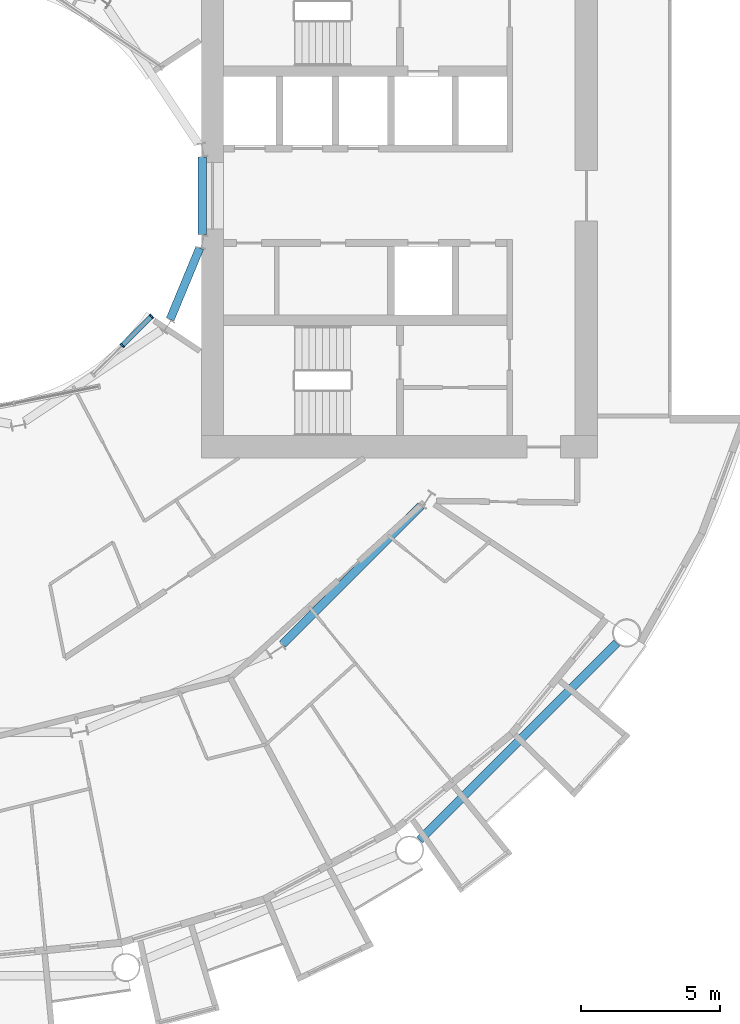
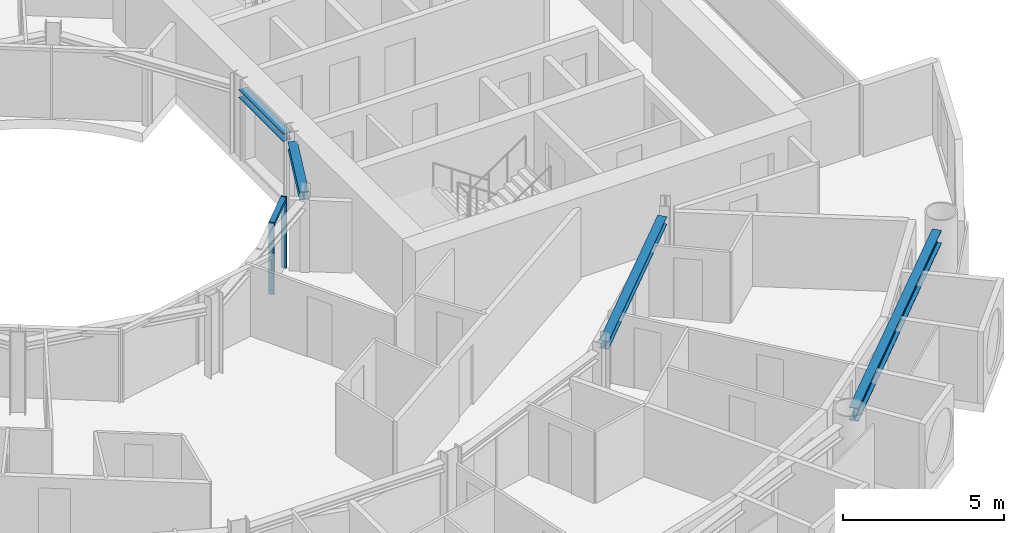
# One storey, part 6 of 26: 4 beams, 3 members, 1 element without a shape of its own.
"""IFC4 building model written with IfcOpenShell, lengths in metres."""

from ifc_helpers import new_model, si_unit, direction, frame, origin, origin_2d, place, context, subcontext, project, spatial, rectangle, i_section, extrude, material, layer, layer_set, material_profile, profile_set, type_object, element, aggregate, save


model = new_model("IFC4")

# Units and contexts
model_context = context("Model", 3, precision=1e-05, world=origin(), true_north=direction((0.0, 1.0)))
body_context = subcontext(model_context, "Body", "Model", "MODEL_VIEW")
ifc_project = project(units=[si_unit("LENGTHUNIT", "METRE"), si_unit("AREAUNIT", "SQUARE_METRE"), si_unit("VOLUMEUNIT", "CUBIC_METRE"), si_unit("PLANEANGLEUNIT", "RADIAN"), si_unit("MASSUNIT", "GRAM", prefix="KILO")], contexts=[model_context])

# Site, building, storey
site_placement = place(None, origin())
site = spatial("IfcSite", under=ifc_project, at=site_placement, CompositionType="ELEMENT")
building_placement = place(site_placement, origin())
building = spatial("IfcBuilding", under=site, at=building_placement, Name="Maasbend Ring Residences", CompositionType="ELEMENT")
storey_placement = place(building_placement, frame((0.0, 0.0, 28.89990234375)))
storey = spatial("IfcBuildingStorey", under=building, at=storey_placement, Name="L07", CompositionType="ELEMENT", Elevation=28.89990234375)

# Curtain wall, members
ifc_material_1 = material(Name="Aluminium and clear glass", Category="aluminium")
ifc_layer = layer(ifc_material_1, 0.179931640625)
ifc_layer_set = layer_set([ifc_layer], Name="CW-W")
curtain_wall_type = type_object("IfcCurtainWallType", Name="CW-W", PredefinedType="NOTDEFINED", material=ifc_layer_set)
curtain_wall_placement = place(storey_placement, origin())
curtain_wall = element("IfcCurtainWall", 1, at=curtain_wall_placement, inside=storey, type_object=curtain_wall_type, Name="Well curtain wall S3", PredefinedType="NOTDEFINED")
ifc_material_2 = material(Name="Aluminium 6063-T6", Category="aluminium")
ifc_material_profile_1 = material_profile(ifc_material_2, rectangle(XDim=0.179931640625, YDim=0.06005859375, at=origin_2d()), Name="AL 180x60")
ifc_profile_set_1 = profile_set([ifc_material_profile_1], Name="Aluminium 6063-T6")
member_type_1 = type_object("IfcMemberType", Name="CWM-W", PredefinedType="MULLION", material=ifc_profile_set_1)
member_1_placement = place(storey_placement, frame((5.366943359375, -5.366943359375, 0.0), z_axis=(0.0, 0.0, 1.0), x_axis=(-0.707106781187, 0.707106781187, 0.0)))
member_1 = element("IfcMember", 2, at=member_1_placement, type_object=member_type_1, Name="Mullion well face", PredefinedType="MULLION", context=body_context, shape_type="SweptSolid", body=[
    extrude(rectangle(XDim=0.179931640625, YDim=0.06005859375, at=origin_2d()), origin(), (0.0, 0.0, 1.0), 2.7001953125),
])
member_2_placement = place(storey_placement, frame((6.413330078125, -4.320556640625, 0.0), z_axis=(0.0, 0.0, 1.0), x_axis=(-0.707106781187, 0.707106781187, 0.0)))
member_2 = element("IfcMember", 3, at=member_2_placement, type_object=member_type_1, Name="Mullion well face", PredefinedType="MULLION", context=body_context, shape_type="SweptSolid", body=[
    extrude(rectangle(XDim=0.179931640625, YDim=0.06005859375, at=origin_2d()), origin(), (0.0, 0.0, 1.0), 2.7001953125),
])
ifc_material_3 = material(Name="Aluminium 6063-T6", Category="aluminium")
ifc_material_profile_2 = material_profile(ifc_material_3, rectangle(XDim=0.179931640625, YDim=0.1201171875, at=origin_2d()), Name="AL 180x120")
ifc_profile_set_2 = profile_set([ifc_material_profile_2], Name="Aluminium 6063-T6")
member_type_2 = type_object("IfcMemberType", Name="CWT-W", PredefinedType="USERDEFINED", material=ifc_profile_set_2)
member_3_placement = place(storey_placement, frame((5.38818359375, -5.345703125, 2.64013671875), z_axis=(0.707106781187, 0.707106781187, 0.0), x_axis=(-0.707106781187, 0.707106781187, 0.0)))
member_3 = element("IfcMember", 4, at=member_3_placement, type_object=member_type_2, Name="Transom well face", ObjectType="TRANSOM", PredefinedType="USERDEFINED", context=body_context, shape_type="SweptSolid", body=[
    extrude(rectangle(XDim=0.179931640625, YDim=0.1201171875, at=origin_2d()), origin(), (0.0, 0.0, 1.0), 1.419677734375),
])
aggregate(curtain_wall, [member_1, member_2, member_3])

# Beams
ifc_material_4 = material(Name="Steel S355J2", Category="steel")
ifc_material_profile_3 = material_profile(ifc_material_4, i_section(OverallWidth=0.300048828125, OverallDepth=0.300048828125, WebThickness=0.010986328125, FlangeThickness=0.01904296875, FilletRadius=0.027099609375, at=origin_2d()), Name="HEB 300")
ifc_profile_set_3 = profile_set([ifc_material_profile_3], Name="Steel S355J2")
beam_type_1 = type_object("IfcBeamType", Name="Corridor ring beam HEB 300", PredefinedType="BEAM", material=ifc_profile_set_3)
beam_1_placement = place(storey_placement, frame((11.11279296875, -16.0732421875, 2.550048828125), z_axis=(0.707106781187, 0.707106781187, 0.0), x_axis=(-0.707106781187, 0.707106781187, 0.0)))
element("IfcBeam", 5, at=beam_1_placement, inside=storey, type_object=beam_type_1, Name="Corridor ring beam", PredefinedType="BEAM", context=body_context, shape_type="SweptSolid", body=[
    extrude(i_section(OverallWidth=0.300048828125, OverallDepth=0.300048828125, WebThickness=0.010986328125, FlangeThickness=0.01904296875, FilletRadius=0.027099609375, at=origin_2d()), origin(), (0.0, 0.0, 1.0), 7.01513671875),
])
ifc_material_5 = material(Name="Steel S355J2", Category="steel")
ifc_material_profile_4 = material_profile(ifc_material_5, i_section(OverallWidth=0.300048828125, OverallDepth=0.5, WebThickness=0.014404296875, FlangeThickness=0.028076171875, FilletRadius=0.027099609375, at=origin_2d()), Name="HEB 500")
ifc_profile_set_4 = profile_set([ifc_material_profile_4], Name="Steel S355J2")
beam_type_2 = type_object("IfcBeamType", Name="Spandrel ring beam HEB 500", PredefinedType="SPANDREL", material=ifc_profile_set_4)
beam_2_placement = place(storey_placement, frame((16.0263671875, -23.088134765625, 2.4501953125), z_axis=(0.707106781187, 0.707106781187, 0.0), x_axis=(-0.707106781187, 0.707106781187, 0.0)))
element("IfcBeam", 6, at=beam_2_placement, inside=storey, type_object=beam_type_2, Name="Spandrel ring beam", PredefinedType="SPANDREL", context=body_context, shape_type="SweptSolid", body=[
    extrude(i_section(OverallWidth=0.300048828125, OverallDepth=0.5, WebThickness=0.014404296875, FlangeThickness=0.028076171875, FilletRadius=0.027099609375, at=origin_2d()), origin(), (0.0, 0.0, 1.0), 9.98681640625),
])
ifc_material_6 = material(Name="Steel S355J2", Category="steel")
ifc_material_profile_5 = material_profile(ifc_material_6, i_section(OverallWidth=0.300048828125, OverallDepth=0.300048828125, WebThickness=0.010986328125, FlangeThickness=0.01904296875, FilletRadius=0.027099609375, at=origin_2d()), Name="HEB 300")
ifc_profile_set_5 = profile_set([ifc_material_profile_5], Name="Steel S355J2")
beam_type_3 = type_object("IfcBeamType", Name="Well edge beam HEB 300", PredefinedType="BEAM", material=ifc_profile_set_5)
beam_3_placement = place(storey_placement, frame((7.081787109375, -4.431396484375, 2.550048828125), z_axis=(0.382723119906, 0.923863092395, 0.0), x_axis=(-0.923863092395, 0.382723119906, 0.0)))
element("IfcBeam", 7, at=beam_3_placement, inside=storey, type_object=beam_type_3, Name="Well edge beam", PredefinedType="BEAM", context=body_context, shape_type="SweptSolid", body=[
    extrude(i_section(OverallWidth=0.300048828125, OverallDepth=0.300048828125, WebThickness=0.010986328125, FlangeThickness=0.01904296875, FilletRadius=0.027099609375, at=origin_2d()), origin(), (0.0, 0.0, 1.0), 2.767822265625),
])
beam_4_placement = place(storey_placement, frame((8.238525390625, -1.3837890625, 2.550048828125), z_axis=(0.0, 1.0, 0.0), x_axis=(-1.0, 0.0, 0.0)))
element("IfcBeam", 8, at=beam_4_placement, inside=storey, type_object=beam_type_3, Name="Well edge beam", PredefinedType="BEAM", context=body_context, shape_type="SweptSolid", body=[
    extrude(i_section(OverallWidth=0.300048828125, OverallDepth=0.300048828125, WebThickness=0.010986328125, FlangeThickness=0.01904296875, FilletRadius=0.027099609375, at=origin_2d()), origin(), (0.0, 0.0, 1.0), 2.767578125),
])

save(model, "model.ifc")
